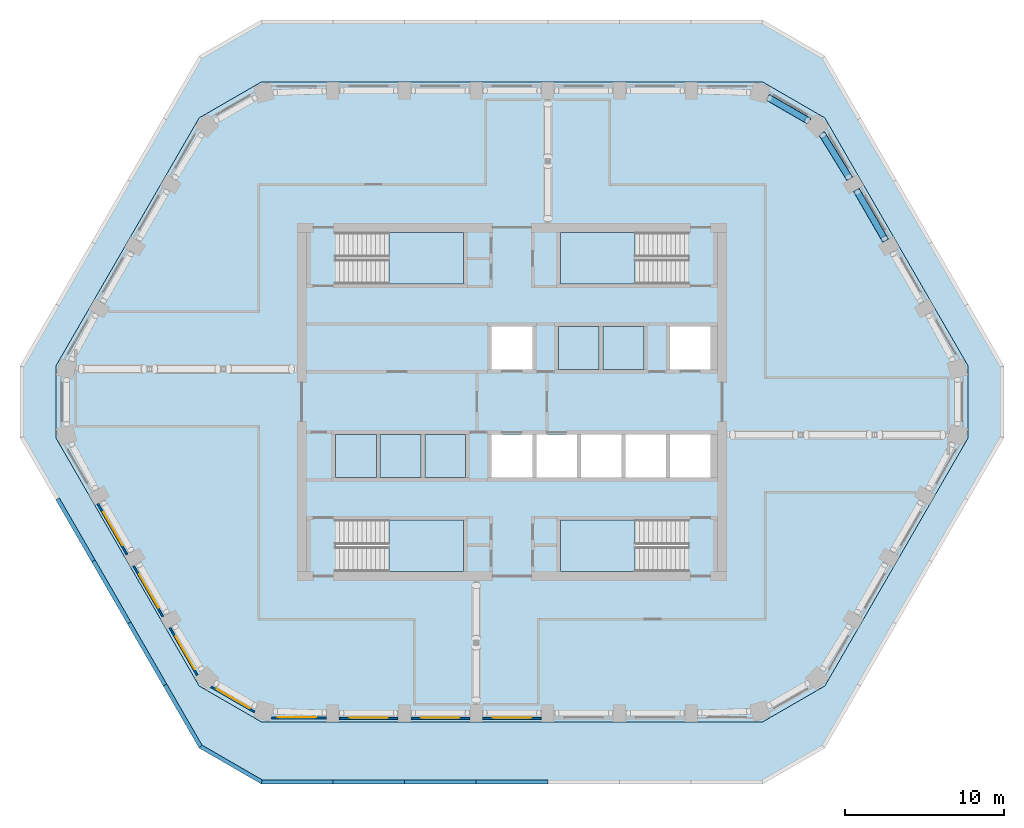
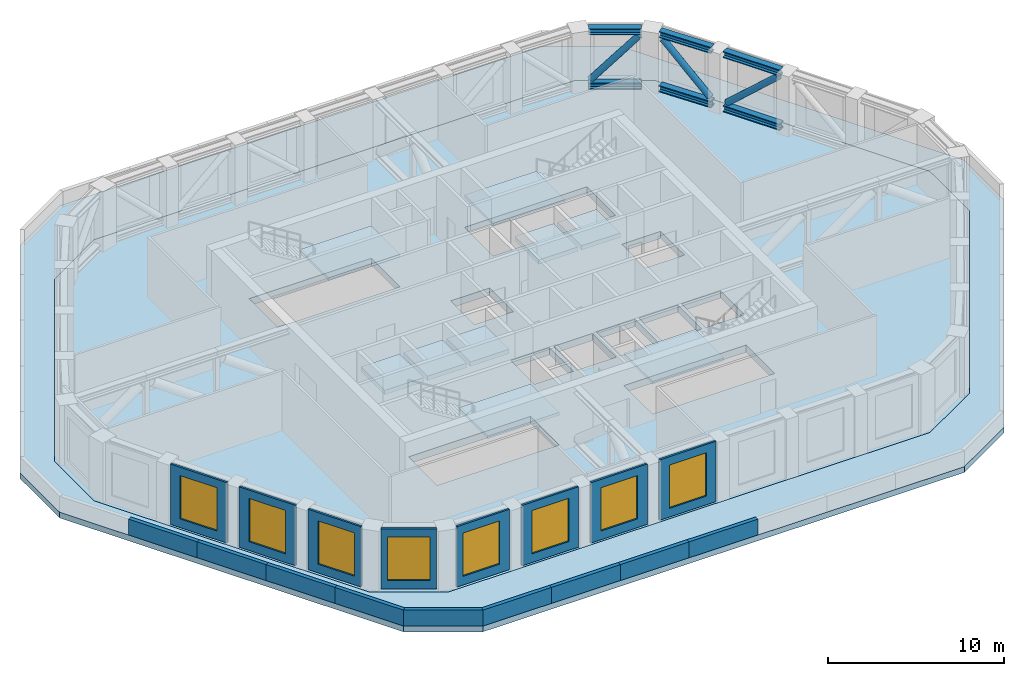
# One storey, part 5 of 15: 17 walls, 11 slabs, 8 windows, 6 beams, 3 members, 8 openings, 4 elements without a shape of their own.
"""IFC4 building model written with IfcOpenShell, lengths in metres."""

from ifc_helpers import new_model, si_unit, direction, frame, frame_2d, origin, origin_2d, place, context, subcontext, project, spatial, polyline, rectangle, hollow_circle, i_section, outline, extrude, material, layer, layer_set, material_profile, profile_set, type_object, element, fill, aggregate, save


model = new_model("IFC4")

# Units and contexts
model_context = context("Model", 3, precision=1e-05, world=origin(), true_north=direction((0.0, 1.0)))
body_context = subcontext(model_context, "Body", "Model", "MODEL_VIEW")
ifc_project = project(units=[si_unit("LENGTHUNIT", "METRE"), si_unit("AREAUNIT", "SQUARE_METRE"), si_unit("VOLUMEUNIT", "CUBIC_METRE"), si_unit("PLANEANGLEUNIT", "RADIAN"), si_unit("MASSUNIT", "GRAM", prefix="KILO")], contexts=[model_context])

# Site, building, storey
site_placement = place(None, origin())
site = spatial("IfcSite", under=ifc_project, at=site_placement, CompositionType="ELEMENT")
building_placement = place(site_placement, origin())
building = spatial("IfcBuilding", under=site, at=building_placement, Name="Dhurran Vertical Campus", CompositionType="ELEMENT")
storey_placement = place(building_placement, frame((0.0, 0.0, 230.699951171875)))
storey = spatial("IfcBuildingStorey", under=building, at=storey_placement, Name="L57 Plant", CompositionType="ELEMENT", Elevation=230.699951171875)

# Beams
ifc_material_1 = material(Name="Steel ASTM A992", Category="steel")
ifc_material_profile_1 = material_profile(ifc_material_1, i_section(OverallWidth=0.412109375, OverallDepth=0.43505859375, WebThickness=0.035888671875, FlangeThickness=0.057373046875, at=origin_2d()), Name="W360x463")
ifc_profile_set_1 = profile_set([ifc_material_profile_1], Name="Steel ASTM A992")
beam_type = type_object("IfcBeamType", Name="FR BELT CHORD W360x463", PredefinedType="BEAM", material=ifc_profile_set_1)
for number, where, z_axis, x_axis, name in (
    (1, (23.470703125, 10.115478515625, 0.217529296875), (-0.499964254978, 0.866046040199, 0.0), (-0.866046040199, -0.499964254978, 0.0), "Belt truss chord L57"),
    (2, (23.470703125, 10.115478515625, 3.95751953125), (-0.499964254978, 0.866046040199, 0.0), (-0.866046040199, -0.499964254978, 0.0), "Belt truss chord L57"),
):
    element("IfcBeam", number, at=place(storey_placement, frame(where, z_axis=z_axis, x_axis=x_axis)), inside=storey, type_object=beam_type, Name=name, PredefinedType="BEAM", context=body_context, shape_type="SweptSolid", body=[
        extrude(i_section(OverallWidth=0.412109375, OverallDepth=0.43505859375, WebThickness=0.035888671875, FlangeThickness=0.057373046875, at=origin_2d()), origin(), (0.0, 0.0, 1.0), 3.699951171875),
    ])
for number, where, z_axis, x_axis, name in (
    (3, (21.2109375, 14.007080078125, 0.217529296875), (-0.524612836657, 0.851340925608, 0.0), (-0.851340925608, -0.524612836657, 0.0), "Belt truss chord L57"),
    (4, (21.2109375, 14.007080078125, 3.95751953125), (-0.524612836657, 0.851340925608, 0.0), (-0.851340925608, -0.524612836657, 0.0), "Belt truss chord L57"),
):
    element("IfcBeam", number, at=place(storey_placement, frame(where, z_axis=z_axis, x_axis=x_axis)), inside=storey, type_object=beam_type, Name=name, PredefinedType="BEAM", context=body_context, shape_type="SweptSolid", body=[
        extrude(i_section(OverallWidth=0.412109375, OverallDepth=0.43505859375, WebThickness=0.035888671875, FlangeThickness=0.057373046875, at=origin_2d()), origin(), (0.0, 0.0, 1.0), 3.355712890625),
    ])
for number, where, z_axis, x_axis, name in (
    (5, (18.660888671875, 17.6298828125, 0.217529296875), (-0.866016204555, 0.500015933195, 0.0), (-0.500015933195, -0.866016204555, 0.0), "Belt truss chord L57"),
    (6, (18.660888671875, 17.6298828125, 3.95751953125), (-0.866016204555, 0.500015933195, 0.0), (-0.500015933195, -0.866016204555, 0.0), "Belt truss chord L57"),
):
    element("IfcBeam", number, at=place(storey_placement, frame(where, z_axis=z_axis, x_axis=x_axis)), inside=storey, type_object=beam_type, Name=name, PredefinedType="BEAM", context=body_context, shape_type="SweptSolid", body=[
        extrude(i_section(OverallWidth=0.412109375, OverallDepth=0.43505859375, WebThickness=0.035888671875, FlangeThickness=0.057373046875, at=origin_2d()), origin(), (0.0, 0.0, 1.0), 3.00048828125),
    ])

# Members
ifc_material_2 = material(Name="Steel S355J2H", Category="steel")
ifc_material_profile_2 = material_profile(ifc_material_2, hollow_circle(Radius=0.203125, WallThickness=0.01611328125, at=origin_2d()), Name="CHS406.4x16")
ifc_profile_set_2 = profile_set([ifc_material_profile_2], Name="Steel S355J2H")
member_type = type_object("IfcMemberType", Name="FR BELT DIAGONAL CHS406.4x16", PredefinedType="BRACE", material=ifc_profile_set_2)
member_1_placement = place(storey_placement, frame((21.70556640625, 13.173095703125, 0.586669921875), z_axis=(0.372898655487, -0.645895361138, 0.66615747027), x_axis=(0.866030748172, 0.499990743136, 0.0)))
element("IfcMember", 7, at=member_1_placement, inside=storey, type_object=member_type, Name="Belt truss diagonal L57", PredefinedType="BRACE", context=body_context, shape_type="SweptSolid", body=[
    extrude(hollow_circle(Radius=0.203125, WallThickness=0.01611328125, at=origin_2d()), origin(), (0.0, 0.0, 1.0), 4.50634765625),
])
member_2_placement = place(storey_placement, frame((21.1337890625, 14.132080078125, 0.579833984375), z_axis=(-0.373752449697, 0.606616303066, 0.70165929567), x_axis=(-0.851376223454, -0.524555551049, 0.0)))
element("IfcMember", 8, at=member_2_placement, inside=storey, type_object=member_type, Name="Belt truss diagonal L57", PredefinedType="BRACE", context=body_context, shape_type="SweptSolid", body=[
    extrude(hollow_circle(Radius=0.203125, WallThickness=0.01611328125, at=origin_2d()), origin(), (0.0, 0.0, 1.0), 4.297607421875),
])
member_3_placement = place(storey_placement, frame((16.169921875, 19.068115234375, 0.571533203125), z_axis=(0.582076792351, -0.336081827152, 0.740429343871), x_axis=(0.500021908856, 0.866012754331, 0.0)))
element("IfcMember", 9, at=member_3_placement, inside=storey, type_object=member_type, Name="Belt truss diagonal L57", PredefinedType="BRACE", context=body_context, shape_type="SweptSolid", body=[
    extrude(hollow_circle(Radius=0.203125, WallThickness=0.01611328125, at=origin_2d()), origin(), (0.0, 0.0, 1.0), 4.094970703125),
])

# Slabs
ifc_material_3 = material(Name="Concrete C40/50", Category="concrete")
ifc_layer_1 = layer(ifc_material_3, 0.5)
ifc_layer_set_1 = layer_set([ifc_layer_1], Name="Concrete C40/50")
slab_type_1 = type_object("IfcSlabType", Name="FR POST-TENSIONED FLAT SLAB 500", PredefinedType="FLOOR", material=ifc_layer_set_1)
slab_1_placement = place(storey_placement, frame((0.0, 0.0, -0.5)))
element("IfcSlab", 10, at=slab_1_placement, inside=storey, type_object=slab_type_1, Name="Floor slab L57", PredefinedType="FLOOR", context=body_context, shape_type="SweptSolid", body=[
    extrude(outline(polyline([(-15.75, -20.08837890625), (15.75, -20.08837890625), (19.647216796875, -17.83837890625), (28.647216796875, -2.25), (28.647216796875, 2.25), (19.647216796875, 17.83837890625), (15.75, 20.08837890625), (-15.75, 20.08837890625), (-19.647216796875, 17.83837890625), (-28.647216796875, 2.25), (-28.647216796875, -2.25), (-19.647216796875, -17.83837890625), (-15.75, -20.08837890625)]), holes=[polyline([(-1.27490234375, 2.050048828125), (1.27490234375, 2.050048828125), (1.27490234375, 4.75), (-1.27490234375, 4.75), (-1.27490234375, 2.050048828125)]), polyline([(9.925048828125, 2.050048828125), (12.47509765625, 2.050048828125), (12.47509765625, 4.75), (9.925048828125, 4.75), (9.925048828125, 2.050048828125)]), polyline([(-1.27490234375, -4.75), (1.27490234375, -4.75), (1.27490234375, -2.050048828125), (-1.27490234375, -2.050048828125), (-1.27490234375, -4.75)]), polyline([(1.52490234375, -4.75), (4.074951171875, -4.75), (4.074951171875, -2.050048828125), (1.52490234375, -2.050048828125), (1.52490234375, -4.75)]), polyline([(4.324951171875, -4.75), (6.875, -4.75), (6.875, -2.050048828125), (4.324951171875, -2.050048828125), (4.324951171875, -4.75)]), polyline([(7.125, -4.75), (9.675048828125, -4.75), (9.675048828125, -2.050048828125), (7.125, -2.050048828125), (7.125, -4.75)]), polyline([(9.925048828125, -4.75), (12.47509765625, -4.75), (12.47509765625, -2.050048828125), (9.925048828125, -2.050048828125), (9.925048828125, -4.75)]), polyline([(-11.050048828125, 7.39990234375), (-3.050048828125, 7.39990234375), (-3.050048828125, 10.64990234375), (-11.050048828125, 10.64990234375), (-11.050048828125, 7.39990234375)]), polyline([(3.050048828125, 7.39990234375), (11.050048828125, 7.39990234375), (11.050048828125, 10.64990234375), (3.050048828125, 10.64990234375), (3.050048828125, 7.39990234375)]), polyline([(-11.050048828125, -10.64990234375), (-3.050048828125, -10.64990234375), (-3.050048828125, -7.39990234375), (-11.050048828125, -7.39990234375), (-11.050048828125, -10.64990234375)]), polyline([(3.050048828125, -10.64990234375), (11.050048828125, -10.64990234375), (11.050048828125, -7.39990234375), (3.050048828125, -7.39990234375), (3.050048828125, -10.64990234375)])]), origin(), (0.0, 0.0, 1.0), 0.5),
])
ifc_material_4 = material(Name="Concrete C40/50", Category="concrete")
ifc_layer_2 = layer(ifc_material_4, 0.39990234375)
ifc_layer_set_2 = layer_set([ifc_layer_2], Name="Concrete C40/50")
slab_type_2 = type_object("IfcSlabType", Name="FR ROOF TERRACE SLAB 400", PredefinedType="ROOF", material=ifc_layer_set_2)
slab_2_placement = place(storey_placement, frame((0.0, 0.0, -0.39990234375)))
element("IfcSlab", 11, at=slab_2_placement, inside=storey, type_object=slab_type_2, Name="Setback terrace slab L57", PredefinedType="ROOF", context=body_context, shape_type="SweptSolid", body=[
    extrude(outline(polyline([(-15.75, -23.985595703125), (15.75, -23.985595703125), (19.647216796875, -21.735595703125), (30.897216796875, -2.25), (30.897216796875, 2.25), (19.647216796875, 21.735595703125), (15.75, 23.985595703125), (-15.75, 23.985595703125), (-19.647216796875, 21.735595703125), (-30.897216796875, 2.25), (-30.897216796875, -2.25), (-19.647216796875, -21.735595703125), (-15.75, -23.985595703125)]), holes=[polyline([(-15.75, -20.08837890625), (15.75, -20.08837890625), (19.647216796875, -17.83837890625), (28.647216796875, -2.25), (28.647216796875, 2.25), (19.647216796875, 17.83837890625), (15.75, 20.08837890625), (-15.75, 20.08837890625), (-19.647216796875, 17.83837890625), (-28.647216796875, 2.25), (-28.647216796875, -2.25), (-19.647216796875, -17.83837890625), (-15.75, -20.08837890625)])]), origin(), (0.0, 0.0, 1.0), 0.39990234375),
])
ifc_material_5 = material(Name="Concrete C40/50", Category="concrete")
ifc_layer_3 = layer(ifc_material_5, 0.300048828125)
ifc_layer_set_3 = layer_set([ifc_layer_3], Name="Concrete C40/50")
slab_type_3 = type_object("IfcSlabType", Name="co-PIT-SLAB-300", PredefinedType="FLOOR", material=ifc_layer_set_3)
slab_3_placement = place(storey_placement, frame((0.0, 0.0, 2.699951171875)))
element("IfcSlab", 12, at=slab_3_placement, inside=storey, type_object=slab_type_3, Name="Lift pit slab HR1", PredefinedType="FLOOR", context=body_context, shape_type="SweptSolid", body=[
    extrude(outline(polyline([(2.925048828125, 2.050048828125), (5.47509765625, 2.050048828125), (5.47509765625, 4.75), (2.925048828125, 4.75), (2.925048828125, 2.050048828125)])), origin(), (0.0, 0.0, 1.0), 0.300048828125),
])
slab_4_placement = place(storey_placement, frame((0.0, 0.0, 2.699951171875)))
element("IfcSlab", 13, at=slab_4_placement, inside=storey, type_object=slab_type_3, Name="Lift pit slab HR2", PredefinedType="FLOOR", context=body_context, shape_type="SweptSolid", body=[
    extrude(outline(polyline([(5.72509765625, 2.050048828125), (8.27490234375, 2.050048828125), (8.27490234375, 4.75), (5.72509765625, 4.75), (5.72509765625, 2.050048828125)])), origin(), (0.0, 0.0, 1.0), 0.300048828125),
])
slab_5_placement = place(storey_placement, frame((0.0, 0.0, 2.699951171875)))
element("IfcSlab", 14, at=slab_5_placement, inside=storey, type_object=slab_type_3, Name="Lift pit slab HR3", PredefinedType="FLOOR", context=body_context, shape_type="SweptSolid", body=[
    extrude(outline(polyline([(-11.074951171875, -4.75), (-8.52490234375, -4.75), (-8.52490234375, -2.050048828125), (-11.074951171875, -2.050048828125), (-11.074951171875, -4.75)])), origin(), (0.0, 0.0, 1.0), 0.300048828125),
])
slab_6_placement = place(storey_placement, frame((0.0, 0.0, 2.699951171875)))
element("IfcSlab", 15, at=slab_6_placement, inside=storey, type_object=slab_type_3, Name="Lift pit slab HR4", PredefinedType="FLOOR", context=body_context, shape_type="SweptSolid", body=[
    extrude(outline(polyline([(-8.27490234375, -4.75), (-5.72509765625, -4.75), (-5.72509765625, -2.050048828125), (-8.27490234375, -2.050048828125), (-8.27490234375, -4.75)])), origin(), (0.0, 0.0, 1.0), 0.300048828125),
])
slab_7_placement = place(storey_placement, frame((0.0, 0.0, 2.699951171875)))
element("IfcSlab", 16, at=slab_7_placement, inside=storey, type_object=slab_type_3, Name="Lift pit slab HR5", PredefinedType="FLOOR", context=body_context, shape_type="SweptSolid", body=[
    extrude(outline(polyline([(-5.47509765625, -4.75), (-2.925048828125, -4.75), (-2.925048828125, -2.050048828125), (-5.47509765625, -2.050048828125), (-5.47509765625, -4.75)])), origin(), (0.0, 0.0, 1.0), 0.300048828125),
])

# Stair, slab
ifc_material_6 = material(Name="Concrete C40/50", Category="concrete")
stair_type = type_object("IfcStairType", Name="co-ST-CORE", PredefinedType="HALF_TURN_STAIR", material=ifc_material_6)
stair_1_placement = place(storey_placement, origin())
stair_1 = element("IfcStair", 17, at=stair_1_placement, inside=storey, type_object=stair_type, Name="L57 Plant Protected exit stair ST1", PredefinedType="HALF_TURN_STAIR")
ifc_material_7 = material(Name="Concrete C40/50", Category="concrete")
ifc_layer_4 = layer(ifc_material_7, 0.199951171875)
ifc_layer_set_4 = layer_set([ifc_layer_4], Name="Concrete C40/50")
slab_type_4 = type_object("IfcSlabType", Name="co-SL-LANDING", PredefinedType="LANDING", material=ifc_layer_set_4)
slab_8_placement = place(storey_placement, frame((0.0, 0.0, 2.050048828125)))
slab_8 = element("IfcSlab", 18, at=slab_8_placement, type_object=slab_type_4, Name="ST1 landing 1", PredefinedType="LANDING", context=body_context, shape_type="SweptSolid", body=[
    extrude(outline(polyline([(-7.739990234375, 7.39990234375), (-3.050048828125, 7.39990234375), (-3.050048828125, 10.64990234375), (-7.739990234375, 10.64990234375), (-7.739990234375, 7.39990234375)])), origin(), (0.0, 0.0, 1.0), 0.199951171875),
])
aggregate(stair_1, [slab_8])

stair_2_placement = place(storey_placement, origin())
stair_2 = element("IfcStair", 19, at=stair_2_placement, inside=storey, type_object=stair_type, Name="L57 Plant Protected exit stair ST2", PredefinedType="HALF_TURN_STAIR")
slab_9_placement = place(storey_placement, frame((0.0, 0.0, 2.050048828125)))
slab_9 = element("IfcSlab", 20, at=slab_9_placement, type_object=slab_type_4, Name="ST2 landing 1", PredefinedType="LANDING", context=body_context, shape_type="SweptSolid", body=[
    extrude(outline(polyline([(7.739990234375, 10.64990234375), (3.050048828125, 10.64990234375), (3.050048828125, 7.39990234375), (7.739990234375, 7.39990234375), (7.739990234375, 10.64990234375)])), origin(), (0.0, 0.0, 1.0), 0.199951171875),
])
aggregate(stair_2, [slab_9])

stair_3_placement = place(storey_placement, origin())
stair_3 = element("IfcStair", 21, at=stair_3_placement, inside=storey, type_object=stair_type, Name="L57 Plant Protected exit stair ST3", PredefinedType="HALF_TURN_STAIR")
slab_10_placement = place(storey_placement, frame((0.0, 0.0, 2.050048828125)))
slab_10 = element("IfcSlab", 22, at=slab_10_placement, type_object=slab_type_4, Name="ST3 landing 1", PredefinedType="LANDING", context=body_context, shape_type="SweptSolid", body=[
    extrude(outline(polyline([(-7.739990234375, -10.64990234375), (-3.050048828125, -10.64990234375), (-3.050048828125, -7.39990234375), (-7.739990234375, -7.39990234375), (-7.739990234375, -10.64990234375)])), origin(), (0.0, 0.0, 1.0), 0.199951171875),
])
aggregate(stair_3, [slab_10])

stair_4_placement = place(storey_placement, origin())
stair_4 = element("IfcStair", 23, at=stair_4_placement, inside=storey, type_object=stair_type, Name="L57 Plant Protected exit stair ST4", PredefinedType="HALF_TURN_STAIR")
slab_11_placement = place(storey_placement, frame((0.0, 0.0, 2.050048828125)))
slab_11 = element("IfcSlab", 24, at=slab_11_placement, type_object=slab_type_4, Name="ST4 landing 1", PredefinedType="LANDING", context=body_context, shape_type="SweptSolid", body=[
    extrude(outline(polyline([(7.739990234375, -7.39990234375), (3.050048828125, -7.39990234375), (3.050048828125, -10.64990234375), (7.739990234375, -10.64990234375), (7.739990234375, -7.39990234375)])), origin(), (0.0, 0.0, 1.0), 0.199951171875),
])
aggregate(stair_4, [slab_11])

# Wall, opening, window
ifc_material_8 = material(Name="Precast concrete C50/60", Category="concrete")
ifc_layer_5 = layer(ifc_material_8, 0.1201171875)
ifc_layer_set_5 = layer_set([ifc_layer_5], Name="Precast concrete C50/60")
wall_type_1 = type_object("IfcWallType", Name="Precast louvre-bay panel 120", PredefinedType="SOLIDWALL", material=ifc_layer_set_5)
wall_1_placement = place(storey_placement, frame((-15.1005859375, -19.850830078125, 0.0), z_axis=(0.0, 0.0, 1.0), x_axis=(1.0, 0.0, 0.0)))
wall_1 = element("IfcWall", 25, at=wall_1_placement, inside=storey, type_object=wall_type_1, Name="EW4 L57.00", PredefinedType="SOLIDWALL", context=body_context, shape_type="SweptSolid", body=[
    extrude(rectangle(XDim=3.4501953125, YDim=0.1201171875, at=frame_2d((1.72509765625, 0.0))), origin(), (0.0, 0.0, 1.0), 4.175048828125),
])
opening_1_placement = place(wall_1_placement, frame((0.400634765625, 0.0, 0.60009765625)))
opening_1 = element("IfcOpeningElement", 26, at=opening_1_placement, cuts=wall_1, Name="Opening WT4", PredefinedType="OPENING", context=body_context, shape_type="SweptSolid", body=[
    extrude(rectangle(XDim=2.39990234375, YDim=3.0, at=frame_2d((1.199951171875, 1.5))), frame((0.0, 0.070068359375, 0.0), z_axis=(0.0, -1.0, 0.0), x_axis=(1.0, 0.0, 0.0)), (0.0, 0.0, 1.0), 0.14013671875),
])
ifc_material_9 = material(Name="Aluminium louvre", Category="aluminium")
window_type = type_object("IfcWindowType", Name="Louvred plant vent 2400 x 3000", PartitioningType="SINGLE_PANEL", PredefinedType="WINDOW", material=ifc_material_9)
window_1_placement = place(opening_1_placement, origin())
window_1 = element("IfcWindow", 27, at=window_1_placement, inside=storey, type_object=window_type, Name="WT4 L57.00", OverallHeight=3.0, OverallWidth=2.39990234375, PartitioningType="SINGLE_PANEL", PredefinedType="WINDOW", context=body_context, shape_type="SweptSolid", body=[
    extrude(rectangle(XDim=2.39990234375, YDim=3.0, at=frame_2d((1.199951171875, 1.5))), frame((0.0, 0.06005859375, 0.0), z_axis=(0.0, -1.0, 0.0), x_axis=(1.0, 0.0, 0.0)), (0.0, 0.0, 1.0), 0.02001953125),
])
fill(opening_1, window_1)

wall_2_placement = place(storey_placement, frame((-10.849609375, -19.8837890625, 0.0), z_axis=(0.0, 0.0, 1.0), x_axis=(1.0, 0.0, 0.0)))
wall_2 = element("IfcWall", 28, at=wall_2_placement, inside=storey, type_object=wall_type_1, Name="EW4 L57.01", PredefinedType="SOLIDWALL", context=body_context, shape_type="SweptSolid", body=[
    extrude(rectangle(XDim=3.69921875, YDim=0.1201171875, at=frame_2d((1.849609375, 0.0))), origin(), (0.0, 0.0, 1.0), 4.175048828125),
])
opening_2_placement = place(wall_2_placement, frame((0.6494140625, 0.0, 0.60009765625)))
opening_2 = element("IfcOpeningElement", 29, at=opening_2_placement, cuts=wall_2, Name="Opening WT4", PredefinedType="OPENING", context=body_context, shape_type="SweptSolid", body=[
    extrude(rectangle(XDim=2.39990234375, YDim=3.0, at=frame_2d((1.199951171875, 1.5))), frame((0.0, 0.070068359375, 0.0), z_axis=(0.0, -1.0, 0.0), x_axis=(1.0, 0.0, 0.0)), (0.0, 0.0, 1.0), 0.14013671875),
])
window_2_placement = place(opening_2_placement, origin())
window_2 = element("IfcWindow", 30, at=window_2_placement, inside=storey, type_object=window_type, Name="WT4 L57.01", OverallHeight=3.0, OverallWidth=2.39990234375, PartitioningType="SINGLE_PANEL", PredefinedType="WINDOW", context=body_context, shape_type="SweptSolid", body=[
    extrude(rectangle(XDim=2.39990234375, YDim=3.0, at=frame_2d((1.199951171875, 1.5))), frame((0.0, 0.06005859375, 0.0), z_axis=(0.0, -1.0, 0.0), x_axis=(1.0, 0.0, 0.0)), (0.0, 0.0, 1.0), 0.02001953125),
])
fill(opening_2, window_2)

wall_3_placement = place(storey_placement, frame((-6.349609375, -19.8837890625, 0.0), z_axis=(0.0, 0.0, 1.0), x_axis=(1.0, 0.0, 0.0)))
wall_3 = element("IfcWall", 31, at=wall_3_placement, inside=storey, type_object=wall_type_1, Name="EW4 L57.02", PredefinedType="SOLIDWALL", context=body_context, shape_type="SweptSolid", body=[
    extrude(rectangle(XDim=3.69921875, YDim=0.1201171875, at=frame_2d((1.849609375, 0.0))), origin(), (0.0, 0.0, 1.0), 4.175048828125),
])
opening_3_placement = place(wall_3_placement, frame((0.6494140625, 0.0, 0.60009765625)))
opening_3 = element("IfcOpeningElement", 32, at=opening_3_placement, cuts=wall_3, Name="Opening WT4", PredefinedType="OPENING", context=body_context, shape_type="SweptSolid", body=[
    extrude(rectangle(XDim=2.39990234375, YDim=3.0, at=frame_2d((1.199951171875, 1.5))), frame((0.0, 0.070068359375, 0.0), z_axis=(0.0, -1.0, 0.0), x_axis=(1.0, 0.0, 0.0)), (0.0, 0.0, 1.0), 0.14013671875),
])
window_3_placement = place(opening_3_placement, origin())
window_3 = element("IfcWindow", 33, at=window_3_placement, inside=storey, type_object=window_type, Name="WT4 L57.02", OverallHeight=3.0, OverallWidth=2.39990234375, PartitioningType="SINGLE_PANEL", PredefinedType="WINDOW", context=body_context, shape_type="SweptSolid", body=[
    extrude(rectangle(XDim=2.39990234375, YDim=3.0, at=frame_2d((1.199951171875, 1.5))), frame((0.0, 0.06005859375, 0.0), z_axis=(0.0, -1.0, 0.0), x_axis=(1.0, 0.0, 0.0)), (0.0, 0.0, 1.0), 0.02001953125),
])
fill(opening_3, window_3)

wall_4_placement = place(storey_placement, frame((-1.849609375, -19.8837890625, 0.0), z_axis=(0.0, 0.0, 1.0), x_axis=(1.0, 0.0, 0.0)))
wall_4 = element("IfcWall", 34, at=wall_4_placement, inside=storey, type_object=wall_type_1, Name="EW4 L57.03", PredefinedType="SOLIDWALL", context=body_context, shape_type="SweptSolid", body=[
    extrude(rectangle(XDim=3.69921875, YDim=0.1201171875, at=frame_2d((1.849609375, 0.0))), origin(), (0.0, 0.0, 1.0), 4.175048828125),
])
opening_4_placement = place(wall_4_placement, frame((0.6494140625, 0.0, 0.60009765625)))
opening_4 = element("IfcOpeningElement", 35, at=opening_4_placement, cuts=wall_4, Name="Opening WT4", PredefinedType="OPENING", context=body_context, shape_type="SweptSolid", body=[
    extrude(rectangle(XDim=2.39990234375, YDim=3.0, at=frame_2d((1.199951171875, 1.5))), frame((0.0, 0.070068359375, 0.0), z_axis=(0.0, -1.0, 0.0), x_axis=(1.0, 0.0, 0.0)), (0.0, 0.0, 1.0), 0.14013671875),
])
window_4_placement = place(opening_4_placement, origin())
window_4 = element("IfcWindow", 36, at=window_4_placement, inside=storey, type_object=window_type, Name="WT4 L57.03", OverallHeight=3.0, OverallWidth=2.39990234375, PartitioningType="SINGLE_PANEL", PredefinedType="WINDOW", context=body_context, shape_type="SweptSolid", body=[
    extrude(rectangle(XDim=2.39990234375, YDim=3.0, at=frame_2d((1.199951171875, 1.5))), frame((0.0, 0.06005859375, 0.0), z_axis=(0.0, -1.0, 0.0), x_axis=(1.0, 0.0, 0.0)), (0.0, 0.0, 1.0), 0.02001953125),
])
fill(opening_4, window_4)

wall_5_placement = place(storey_placement, frame((-26.01953125, -6.3916015625, 0.0), z_axis=(0.0, 0.0, 1.0), x_axis=(0.500029062817, -0.866008623709, 0.0)))
wall_5 = element("IfcWall", 37, at=wall_5_placement, inside=storey, type_object=wall_type_1, Name="EW4 L57.32", PredefinedType="SOLIDWALL", context=body_context, shape_type="SweptSolid", body=[
    extrude(rectangle(XDim=3.698974609375, YDim=0.1201171875, at=frame_2d((1.849609375, 0.0))), origin(), (0.0, 0.0, 1.0), 4.175048828125),
])
opening_5_placement = place(wall_5_placement, frame((0.6494140625, 0.0, 0.60009765625)))
opening_5 = element("IfcOpeningElement", 38, at=opening_5_placement, cuts=wall_5, Name="Opening WT4", PredefinedType="OPENING", context=body_context, shape_type="SweptSolid", body=[
    extrude(rectangle(XDim=2.39990234375, YDim=3.0, at=frame_2d((1.199951171875, 1.5))), frame((0.0, 0.070068359375, 0.0), z_axis=(0.0, -1.0, 0.0), x_axis=(1.0, 0.0, 0.0)), (0.0, 0.0, 1.0), 0.14013671875),
])
window_5_placement = place(opening_5_placement, origin())
window_5 = element("IfcWindow", 39, at=window_5_placement, inside=storey, type_object=window_type, Name="WT4 L57.32", OverallHeight=3.0, OverallWidth=2.39990234375, PartitioningType="SINGLE_PANEL", PredefinedType="WINDOW", context=body_context, shape_type="SweptSolid", body=[
    extrude(rectangle(XDim=2.39990234375, YDim=3.0, at=frame_2d((1.199951171875, 1.5))), frame((0.0, 0.06005859375, 0.0), z_axis=(0.0, -1.0, 0.0), x_axis=(1.0, 0.0, 0.0)), (0.0, 0.0, 1.0), 0.02001953125),
])
fill(opening_5, window_5)

wall_6_placement = place(storey_placement, frame((-23.76953125, -10.288818359375, 0.0), z_axis=(0.0, 0.0, 1.0), x_axis=(0.500029062817, -0.866008623709, 0.0)))
wall_6 = element("IfcWall", 40, at=wall_6_placement, inside=storey, type_object=wall_type_1, Name="EW4 L57.33", PredefinedType="SOLIDWALL", context=body_context, shape_type="SweptSolid", body=[
    extrude(rectangle(XDim=3.698974609375, YDim=0.1201171875, at=frame_2d((1.849609375, 0.0))), origin(), (0.0, 0.0, 1.0), 4.175048828125),
])
opening_6_placement = place(wall_6_placement, frame((0.6494140625, 0.0, 0.60009765625)))
opening_6 = element("IfcOpeningElement", 41, at=opening_6_placement, cuts=wall_6, Name="Opening WT4", PredefinedType="OPENING", context=body_context, shape_type="SweptSolid", body=[
    extrude(rectangle(XDim=2.39990234375, YDim=3.0, at=frame_2d((1.199951171875, 1.5))), frame((0.0, 0.070068359375, 0.0), z_axis=(0.0, -1.0, 0.0), x_axis=(1.0, 0.0, 0.0)), (0.0, 0.0, 1.0), 0.14013671875),
])
window_6_placement = place(opening_6_placement, origin())
window_6 = element("IfcWindow", 42, at=window_6_placement, inside=storey, type_object=window_type, Name="WT4 L57.33", OverallHeight=3.0, OverallWidth=2.39990234375, PartitioningType="SINGLE_PANEL", PredefinedType="WINDOW", context=body_context, shape_type="SweptSolid", body=[
    extrude(rectangle(XDim=2.39990234375, YDim=3.0, at=frame_2d((1.199951171875, 1.5))), frame((0.0, 0.06005859375, 0.0), z_axis=(0.0, -1.0, 0.0), x_axis=(1.0, 0.0, 0.0)), (0.0, 0.0, 1.0), 0.02001953125),
])
fill(opening_6, window_6)

wall_7_placement = place(storey_placement, frame((-21.490966796875, -14.169189453125, 0.0), z_axis=(0.0, 0.0, 1.0), x_axis=(0.499967486139, -0.866044174857, 0.0)))
wall_7 = element("IfcWall", 43, at=wall_7_placement, inside=storey, type_object=wall_type_1, Name="EW4 L57.34", PredefinedType="SOLIDWALL", context=body_context, shape_type="SweptSolid", body=[
    extrude(rectangle(XDim=3.449951171875, YDim=0.1201171875, at=frame_2d((1.72509765625, 0.0))), origin(), (0.0, 0.0, 1.0), 4.175048828125),
])
opening_7_placement = place(wall_7_placement, frame((0.6494140625, 0.0, 0.60009765625)))
opening_7 = element("IfcOpeningElement", 44, at=opening_7_placement, cuts=wall_7, Name="Opening WT4", PredefinedType="OPENING", context=body_context, shape_type="SweptSolid", body=[
    extrude(rectangle(XDim=2.39990234375, YDim=3.0, at=frame_2d((1.199951171875, 1.5))), frame((0.0, 0.070068359375, 0.0), z_axis=(0.0, -1.0, 0.0), x_axis=(1.0, 0.0, 0.0)), (0.0, 0.0, 1.0), 0.14013671875),
])
window_7_placement = place(opening_7_placement, origin())
window_7 = element("IfcWindow", 45, at=window_7_placement, inside=storey, type_object=window_type, Name="WT4 L57.34", OverallHeight=3.0, OverallWidth=2.39990234375, PartitioningType="SINGLE_PANEL", PredefinedType="WINDOW", context=body_context, shape_type="SweptSolid", body=[
    extrude(rectangle(XDim=2.39990234375, YDim=3.0, at=frame_2d((1.199951171875, 1.5))), frame((0.0, 0.06005859375, 0.0), z_axis=(0.0, -1.0, 0.0), x_axis=(1.0, 0.0, 0.0)), (0.0, 0.0, 1.0), 0.02001953125),
])
fill(opening_7, window_7)

wall_8_placement = place(storey_placement, frame((-18.8994140625, -17.890869140625, 0.0), z_axis=(0.0, 0.0, 1.0), x_axis=(0.866008907395, -0.500028571497, 0.0)))
wall_8 = element("IfcWall", 46, at=wall_8_placement, inside=storey, type_object=wall_type_1, Name="EW4 L57.35", PredefinedType="SOLIDWALL", context=body_context, shape_type="SweptSolid", body=[
    extrude(rectangle(XDim=3.152587890625, YDim=0.1201171875, at=frame_2d((1.576171875, 0.0))), origin(), (0.0, 0.0, 1.0), 4.175048828125),
])
opening_8_placement = place(wall_8_placement, frame((0.376220703125, 0.0, 0.60009765625)))
opening_8 = element("IfcOpeningElement", 47, at=opening_8_placement, cuts=wall_8, Name="Opening WT4", PredefinedType="OPENING", context=body_context, shape_type="SweptSolid", body=[
    extrude(rectangle(XDim=2.39990234375, YDim=3.0, at=frame_2d((1.199951171875, 1.5))), frame((0.0, 0.070068359375, 0.0), z_axis=(0.0, -1.0, 0.0), x_axis=(1.0, 0.0, 0.0)), (0.0, 0.0, 1.0), 0.14013671875),
])
window_8_placement = place(opening_8_placement, origin())
window_8 = element("IfcWindow", 48, at=window_8_placement, inside=storey, type_object=window_type, Name="WT4 L57.35", OverallHeight=3.0, OverallWidth=2.39990234375, PartitioningType="SINGLE_PANEL", PredefinedType="WINDOW", context=body_context, shape_type="SweptSolid", body=[
    extrude(rectangle(XDim=2.39990234375, YDim=3.0, at=frame_2d((1.199951171875, 1.5))), frame((0.0, 0.06005859375, 0.0), z_axis=(0.0, -1.0, 0.0), x_axis=(1.0, 0.0, 0.0)), (0.0, 0.0, 1.0), 0.02001953125),
])
fill(opening_8, window_8)

# Walls
ifc_material_10 = material(Name="Precast concrete C50/60", Category="concrete")
ifc_layer_6 = layer(ifc_material_10, 0.25)
ifc_layer_set_6 = layer_set([ifc_layer_6], Name="Precast concrete C50/60")
wall_type_2 = type_object("IfcWallType", Name="Precast parapet 250", PredefinedType="PARAPET", material=ifc_layer_set_6)
wall_9_placement = place(storey_placement, origin())
element("IfcWall", 49, at=wall_9_placement, inside=storey, type_object=wall_type_2, Name="PW1 L57.00", PredefinedType="PARAPET", context=body_context, shape_type="SweptSolid", body=[
    extrude(outline(polyline([(-15.75, -23.985595703125), (-11.25, -23.985595703125), (-11.25, -23.735595703125), (-15.68310546875, -23.735595703125), (-15.75, -23.985595703125)])), origin(), (0.0, 0.0, 1.0), 1.10009765625),
])
wall_10_placement = place(storey_placement, origin())
element("IfcWall", 50, at=wall_10_placement, inside=storey, type_object=wall_type_2, Name="PW1 L57.01", PredefinedType="PARAPET", context=body_context, shape_type="SweptSolid", body=[
    extrude(outline(polyline([(-11.25, -23.985595703125), (-6.75, -23.985595703125), (-6.75, -23.735595703125), (-11.25, -23.735595703125), (-11.25, -23.985595703125)])), origin(), (0.0, 0.0, 1.0), 1.10009765625),
])
wall_11_placement = place(storey_placement, origin())
element("IfcWall", 51, at=wall_11_placement, inside=storey, type_object=wall_type_2, Name="PW1 L57.02", PredefinedType="PARAPET", context=body_context, shape_type="SweptSolid", body=[
    extrude(outline(polyline([(-6.75, -23.985595703125), (-2.25, -23.985595703125), (-2.25, -23.735595703125), (-6.75, -23.735595703125), (-6.75, -23.985595703125)])), origin(), (0.0, 0.0, 1.0), 1.10009765625),
])
wall_12_placement = place(storey_placement, origin())
element("IfcWall", 52, at=wall_12_placement, inside=storey, type_object=wall_type_2, Name="PW1 L57.03", PredefinedType="PARAPET", context=body_context, shape_type="SweptSolid", body=[
    extrude(outline(polyline([(-2.25, -23.985595703125), (2.25, -23.985595703125), (2.25, -23.735595703125), (-2.25, -23.735595703125), (-2.25, -23.985595703125)])), origin(), (0.0, 0.0, 1.0), 1.10009765625),
])
wall_13_placement = place(storey_placement, origin())
element("IfcWall", 53, at=wall_13_placement, inside=storey, type_object=wall_type_2, Name="PW1 L57.35", PredefinedType="PARAPET", context=body_context, shape_type="SweptSolid", body=[
    extrude(outline(polyline([(-28.647216796875, -6.147216796875), (-26.397216796875, -10.044189453125), (-26.1806640625, -9.919189453125), (-28.4306640625, -6.022216796875), (-28.647216796875, -6.147216796875)])), origin(), (0.0, 0.0, 1.0), 1.10009765625),
])
wall_14_placement = place(storey_placement, origin())
element("IfcWall", 54, at=wall_14_placement, inside=storey, type_object=wall_type_2, Name="PW1 L57.36", PredefinedType="PARAPET", context=body_context, shape_type="SweptSolid", body=[
    extrude(outline(polyline([(-26.397216796875, -10.044189453125), (-24.147216796875, -13.94140625), (-23.9306640625, -13.81640625), (-26.1806640625, -9.919189453125), (-26.397216796875, -10.044189453125)])), origin(), (0.0, 0.0, 1.0), 1.10009765625),
])
wall_15_placement = place(storey_placement, origin())
element("IfcWall", 55, at=wall_15_placement, inside=storey, type_object=wall_type_2, Name="PW1 L57.37", PredefinedType="PARAPET", context=body_context, shape_type="SweptSolid", body=[
    extrude(outline(polyline([(-24.147216796875, -13.94140625), (-21.897216796875, -17.83837890625), (-21.6806640625, -17.71337890625), (-23.9306640625, -13.81640625), (-24.147216796875, -13.94140625)])), origin(), (0.0, 0.0, 1.0), 1.10009765625),
])
wall_16_placement = place(storey_placement, origin())
element("IfcWall", 56, at=wall_16_placement, inside=storey, type_object=wall_type_2, Name="PW1 L57.38", PredefinedType="PARAPET", context=body_context, shape_type="SweptSolid", body=[
    extrude(outline(polyline([(-21.897216796875, -17.83837890625), (-19.647216796875, -21.735595703125), (-19.464111328125, -21.552490234375), (-21.6806640625, -17.71337890625), (-21.897216796875, -17.83837890625)])), origin(), (0.0, 0.0, 1.0), 1.10009765625),
])
wall_17_placement = place(storey_placement, origin())
element("IfcWall", 57, at=wall_17_placement, inside=storey, type_object=wall_type_2, Name="PW1 L57.39", PredefinedType="PARAPET", context=body_context, shape_type="SweptSolid", body=[
    extrude(outline(polyline([(-19.647216796875, -21.735595703125), (-15.75, -23.985595703125), (-15.68310546875, -23.735595703125), (-19.464111328125, -21.552490234375), (-19.647216796875, -21.735595703125)])), origin(), (0.0, 0.0, 1.0), 1.10009765625),
])

save(model, "model.ifc")
